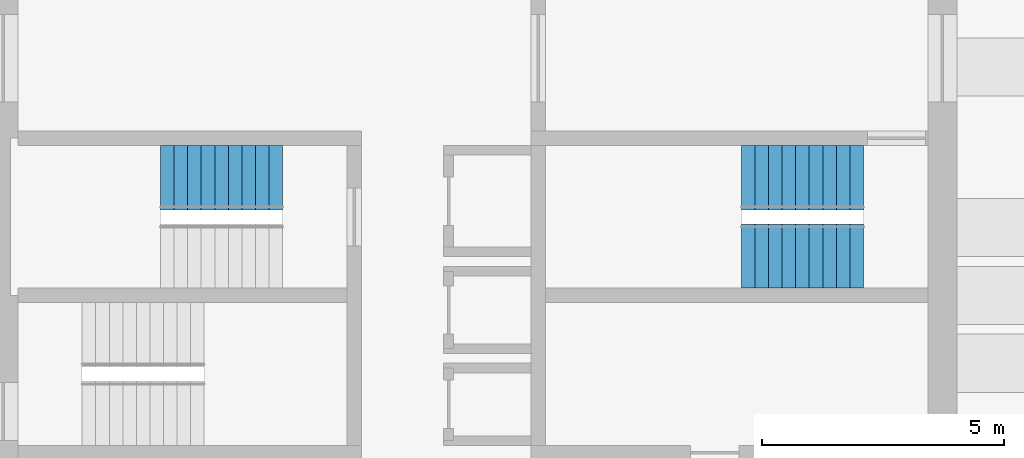
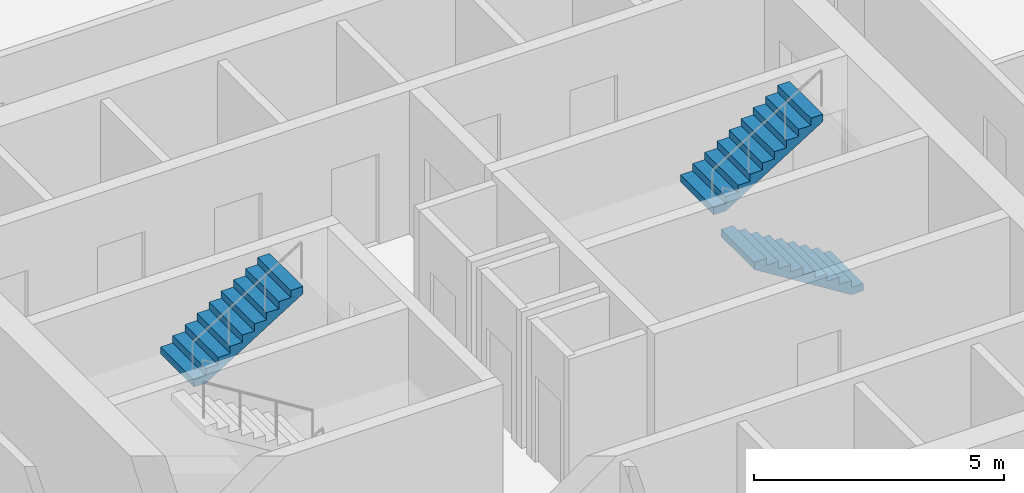
# One storey, part 6 of 7: 3 stair flights, 2 elements without a shape of their own.
"""IFC4 building model written with IfcOpenShell, lengths in metres."""

from ifc_helpers import new_model, si_unit, direction, frame, origin, place, context, subcontext, project, spatial, polyline, outline, extrude, material, type_object, element, aggregate, save


model = new_model("IFC4")

# Units and contexts
model_context = context("Model", 3, precision=1e-05, world=origin(), true_north=direction((0.0, 1.0)))
body_context = subcontext(model_context, "Body", "Model", "MODEL_VIEW")
ifc_project = project(units=[si_unit("LENGTHUNIT", "METRE"), si_unit("AREAUNIT", "SQUARE_METRE"), si_unit("VOLUMEUNIT", "CUBIC_METRE"), si_unit("PLANEANGLEUNIT", "RADIAN"), si_unit("MASSUNIT", "GRAM", prefix="KILO")], contexts=[model_context])

# Site, building, storey
site_placement = place(None, origin())
site = spatial("IfcSite", under=ifc_project, at=site_placement, CompositionType="ELEMENT")
building_placement = place(site_placement, origin())
building = spatial("IfcBuilding", under=site, at=building_placement, Name="Turquesa Mirador Hotel Tower", CompositionType="ELEMENT")
storey_placement = place(building_placement, frame((0.0, 0.0, 25.0)))
storey = spatial("IfcBuildingStorey", under=building, at=storey_placement, Name="L05", CompositionType="ELEMENT", Elevation=25.0)

# Stair, stair flight
ifc_material_1 = material(Name="Concrete C35/45", Category="concrete")
stair_type = type_object("IfcStairType", Name="ESCAPE STAIR CORE", PredefinedType="HALF_TURN_STAIR", material=ifc_material_1)
stair_1_placement = place(storey_placement, origin())
stair_1 = element("IfcStair", 1, at=stair_1_placement, inside=storey, type_object=stair_type, Name="Stair ST1 L05 to L06", PredefinedType="HALF_TURN_STAIR")
ifc_material_2 = material(Name="Concrete C35/45 precast flight", Category="concrete")
stair_flight_type = type_object("IfcStairFlightType", Name="STAIR FLIGHT 1330", PredefinedType="STRAIGHT", material=ifc_material_2)
stair_flight_1_placement = place(storey_placement, frame((48.550048828125, 47.43505859375, 1.75), z_axis=(0.0, 0.0, 1.0), x_axis=(1.0, 0.0, 0.0)))
stair_flight_1 = element("IfcStairFlight", 2, at=stair_flight_1_placement, type_object=stair_flight_type, Name="ST1 flight 2", NumberOfRisers=10, NumberOfTreads=9, PredefinedType="STRAIGHT", RiserHeight=0.175, TreadLength=0.28, context=body_context, shape_type="SweptSolid", body=[
    extrude(outline(polyline([(0.0, 0.0), (0.0, 0.175048828125), (0.280029296875, 0.175048828125), (0.280029296875, 0.35009765625), (0.56005859375, 0.35009765625), (0.56005859375, 0.52490234375), (0.840087890625, 0.52490234375), (0.840087890625, 0.699951171875), (1.1201171875, 0.699951171875), (1.1201171875, 0.875), (1.39990234375, 0.875), (1.39990234375, 1.050048828125), (1.679931640625, 1.050048828125), (1.679931640625, 1.22509765625), (1.9599609375, 1.22509765625), (1.9599609375, 1.39990234375), (2.239990234375, 1.39990234375), (2.239990234375, 1.574951171875), (2.52001953125, 1.574951171875), (2.52001953125, 1.75), (2.52001953125, 1.398193359375), (0.28271484375, 0.0), (0.0, 0.0)])), frame((0.0, 0.6650390625, 0.0), z_axis=(0.0, -1.0, 0.0), x_axis=(1.0, 0.0, 0.0)), (0.0, 0.0, 1.0), 1.330078125),
])
aggregate(stair_1, [stair_flight_1])

# Stair, stair flights
stair_2_placement = place(storey_placement, origin())
stair_2 = element("IfcStair", 3, at=stair_2_placement, inside=storey, type_object=stair_type, Name="Stair ST3 L05 to L06", PredefinedType="HALF_TURN_STAIR")
stair_flight_2_placement = place(storey_placement, frame((63.070068359375, 45.81494140625, 0.0), z_axis=(0.0, 0.0, 1.0), x_axis=(-1.0, 0.0, 0.0)))
stair_flight_2 = element("IfcStairFlight", 4, at=stair_flight_2_placement, type_object=stair_flight_type, Name="ST3 flight 1", NumberOfRisers=10, NumberOfTreads=9, PredefinedType="STRAIGHT", RiserHeight=0.175, TreadLength=0.28, context=body_context, shape_type="SweptSolid", body=[
    extrude(outline(polyline([(0.0, 0.0), (0.0, 0.175048828125), (0.280029296875, 0.175048828125), (0.280029296875, 0.35009765625), (0.56005859375, 0.35009765625), (0.56005859375, 0.52490234375), (0.840087890625, 0.52490234375), (0.840087890625, 0.699951171875), (1.1201171875, 0.699951171875), (1.1201171875, 0.875), (1.39990234375, 0.875), (1.39990234375, 1.050048828125), (1.679931640625, 1.050048828125), (1.679931640625, 1.22509765625), (1.9599609375, 1.22509765625), (1.9599609375, 1.39990234375), (2.239990234375, 1.39990234375), (2.239990234375, 1.574951171875), (2.52001953125, 1.574951171875), (2.52001953125, 1.75), (2.52001953125, 1.398193359375), (0.28271484375, 0.0), (0.0, 0.0)])), frame((0.0, 0.6650390625, 0.0), z_axis=(0.0, -1.0, 0.0), x_axis=(1.0, 0.0, 0.0)), (0.0, 0.0, 1.0), 1.330078125),
])
stair_flight_3_placement = place(storey_placement, frame((60.550048828125, 47.43505859375, 1.75), z_axis=(0.0, 0.0, 1.0), x_axis=(1.0, 0.0, 0.0)))
stair_flight_3 = element("IfcStairFlight", 5, at=stair_flight_3_placement, type_object=stair_flight_type, Name="ST3 flight 2", NumberOfRisers=10, NumberOfTreads=9, PredefinedType="STRAIGHT", RiserHeight=0.175, TreadLength=0.28, context=body_context, shape_type="SweptSolid", body=[
    extrude(outline(polyline([(0.0, 0.0), (0.0, 0.175048828125), (0.280029296875, 0.175048828125), (0.280029296875, 0.35009765625), (0.56005859375, 0.35009765625), (0.56005859375, 0.52490234375), (0.840087890625, 0.52490234375), (0.840087890625, 0.699951171875), (1.1201171875, 0.699951171875), (1.1201171875, 0.875), (1.39990234375, 0.875), (1.39990234375, 1.050048828125), (1.679931640625, 1.050048828125), (1.679931640625, 1.22509765625), (1.9599609375, 1.22509765625), (1.9599609375, 1.39990234375), (2.239990234375, 1.39990234375), (2.239990234375, 1.574951171875), (2.52001953125, 1.574951171875), (2.52001953125, 1.75), (2.52001953125, 1.398193359375), (0.28271484375, 0.0), (0.0, 0.0)])), frame((0.0, 0.6650390625, 0.0), z_axis=(0.0, -1.0, 0.0), x_axis=(1.0, 0.0, 0.0)), (0.0, 0.0, 1.0), 1.330078125),
])
aggregate(stair_2, [stair_flight_2, stair_flight_3])

save(model, "model.ifc")
